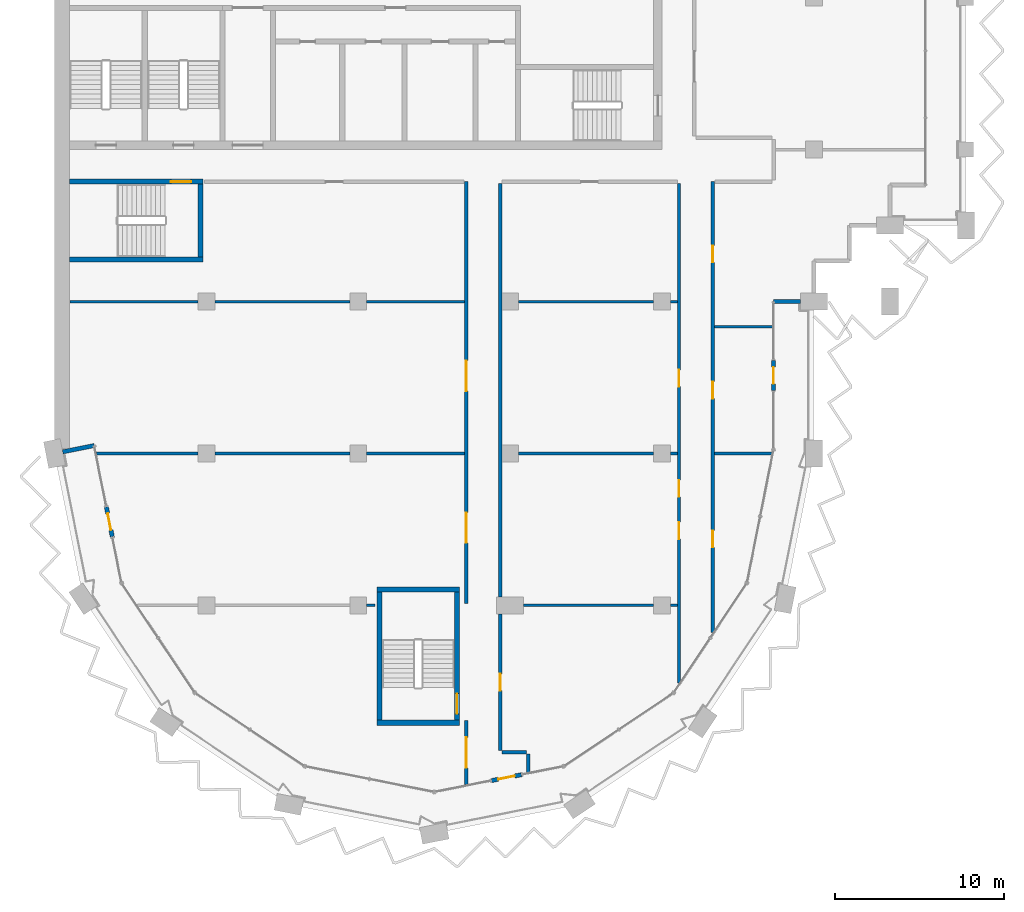
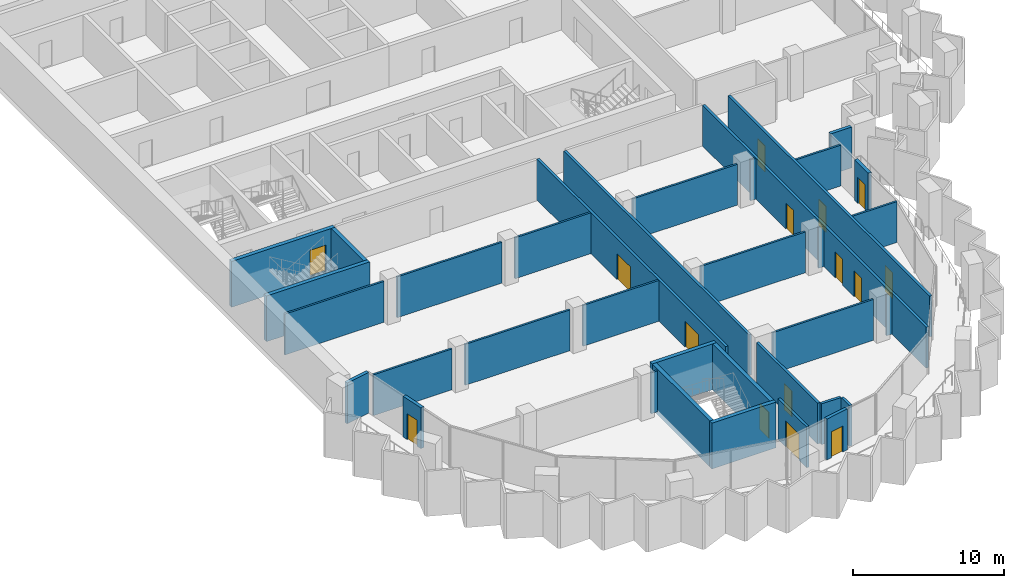
# One storey, part 6 of 15: 35 walls, 15 doors, 15 openings.
"""IFC4 building model written with IfcOpenShell, lengths in metres."""

from ifc_helpers import new_model, si_unit, direction, frame, frame_2d, origin, place, context, subcontext, project, spatial, rectangle, extrude, material, layer, layer_set, type_object, element, fill, save


model = new_model("IFC4")

# Units and contexts
model_context = context("Model", 3, precision=1e-05, world=origin(), true_north=direction((0.0, 1.0)))
body_context = subcontext(model_context, "Body", "Model", "MODEL_VIEW")
ifc_project = project(units=[si_unit("LENGTHUNIT", "METRE"), si_unit("AREAUNIT", "SQUARE_METRE"), si_unit("VOLUMEUNIT", "CUBIC_METRE"), si_unit("PLANEANGLEUNIT", "RADIAN"), si_unit("MASSUNIT", "GRAM", prefix="KILO")], contexts=[model_context])

# Site, building, storey
site_placement = place(None, origin())
site = spatial("IfcSite", under=ifc_project, at=site_placement, CompositionType="ELEMENT")
building_placement = place(site_placement, origin())
building = spatial("IfcBuilding", under=site, at=building_placement, Name="Hunhe Ridgeline Campus", CompositionType="ELEMENT")
storey_placement = place(building_placement, frame((0.0, 0.0, 231.800048828125)))
storey = spatial("IfcBuildingStorey", under=building, at=storey_placement, Name="L59", CompositionType="ELEMENT", Elevation=231.800048828125)

# Walls
ifc_material_1 = material(Name="Concrete C30", Category="concrete")
ifc_layer_1 = layer(ifc_material_1, 0.25)
ifc_layer_set_1 = layer_set([ifc_layer_1], Name="Corner return wall 250 Concrete C30")
wall_type_1 = type_object("IfcWallType", Name="Corner return wall 250 Concrete C30", PredefinedType="SOLIDWALL", material=ifc_layer_set_1)
wall_1_placement = place(storey_placement, frame((0.490234375, 45.098388671875, 0.0), z_axis=(0.0, 0.0, 1.0), x_axis=(0.980836699013, 0.194831644939, 0.0)))
element("IfcWall", 1, at=wall_1_placement, inside=storey, type_object=wall_type_1, Name="Corner return wall 1", PredefinedType="SOLIDWALL", context=body_context, shape_type="SweptSolid", body=[
    extrude(rectangle(XDim=1.90087890625, YDim=0.25, at=frame_2d((0.950439453125, 0.0))), origin(), (0.0, 0.0, 1.0), 3.300048828125),
])
wall_2_placement = place(storey_placement, frame((42.59912109375, 54.00048828125, 0.0), z_axis=(0.0, 0.0, 1.0), x_axis=(0.999999988371, 0.000152508767, 0.0)))
element("IfcWall", 2, at=wall_2_placement, inside=storey, type_object=wall_type_1, Name="Corner return wall 2", PredefinedType="SOLIDWALL", context=body_context, shape_type="SweptSolid", body=[
    extrude(rectangle(XDim=1.600830078125, YDim=0.25, at=frame_2d((0.80029296875, 0.0))), origin(), (0.0, 0.0, 1.0), 3.300048828125),
])
ifc_material_2 = material(Name="Gypsum board partition")
ifc_layer_2 = layer(ifc_material_2, 0.199951171875)
ifc_layer_set_2 = layer_set([ifc_layer_2], Name="Corridor partition 200 gypsum board on steel studs")
wall_type_2 = type_object("IfcWallType", Name="Corridor partition 200 gypsum board on steel studs", PredefinedType="PARTITIONING", material=ifc_layer_set_2)
wall_3_placement = place(storey_placement, frame((26.5, 27.299072265625, 0.0), z_axis=(0.0, 0.0, 1.0), x_axis=(1.0, 0.0, 0.0)))
element("IfcWall", 3, at=wall_3_placement, inside=storey, type_object=wall_type_2, Name="F-L59-wall-001", PredefinedType="PARTITIONING", context=body_context, shape_type="SweptSolid", body=[
    extrude(rectangle(XDim=1.47802734375, YDim=0.199951171875, at=frame_2d((0.739013671875, 0.0))), origin(), (0.0, 0.0, 1.0), 3.300048828125),
])

# Wall, opening, door
wall_4_placement = place(storey_placement, frame((24.39990234375, 25.381103515625, 0.0), z_axis=(0.0, 0.0, 1.0), x_axis=(0.0, 1.0, 0.0)))
wall_4 = element("IfcWall", 4, at=wall_4_placement, inside=storey, type_object=wall_type_2, Name="F-L59-wall-032", PredefinedType="PARTITIONING", context=body_context, shape_type="SweptSolid", body=[
    extrude(rectangle(XDim=3.7939453125, YDim=0.199951171875, at=frame_2d((1.89697265625, 0.0))), origin(), (0.0, 0.0, 1.0), 3.300048828125),
])
opening_1_placement = place(wall_4_placement, frame((0.9970703125, 0.0, 0.0)))
opening_1 = element("IfcOpeningElement", 5, at=opening_1_placement, cuts=wall_4, Name="Opening RD2-001", PredefinedType="OPENING", context=body_context, shape_type="SweptSolid", body=[
    extrude(rectangle(XDim=1.800048828125, YDim=2.10009765625, at=frame_2d((0.89990234375, 1.050048828125))), frame((0.0, 0.10009765625, 0.0), z_axis=(0.0, -1.0, 0.0), x_axis=(1.0, 0.0, 0.0)), (0.0, 0.0, 1.0), 0.199951171875),
])
ifc_material_3 = material(Name="Timber door leaf", Category="wood")
door_type_1 = type_object("IfcDoorType", Name="Double fire door 1800x2100 timber FD60", OperationType="DOUBLE_DOOR_SINGLE_SWING", PredefinedType="DOOR", material=ifc_material_3)
door_1_placement = place(opening_1_placement, origin())
door_1 = element("IfcDoor", 6, at=door_1_placement, inside=storey, type_object=door_type_1, Name="F-L59-door-001", OperationType="DOUBLE_DOOR_SINGLE_SWING", OverallHeight=2.10009765625, OverallWidth=1.800048828125, PredefinedType="DOOR", context=body_context, shape_type="SweptSolid", body=[
    extrude(rectangle(XDim=1.800048828125, YDim=2.10009765625, at=frame_2d((0.89990234375, 1.050048828125))), frame((0.0, 0.02490234375, 0.0), z_axis=(0.0, -1.0, 0.0), x_axis=(1.0, 0.0, 0.0)), (0.0, 0.0, 1.0), 0.050048828125),
])
fill(opening_1, door_1)

# Wall, openings, doors
wall_5_placement = place(storey_placement, frame((24.39990234375, 36.10009765625, 0.0), z_axis=(0.0, 0.0, 1.0), x_axis=(0.0, 1.0, 0.0)))
wall_5 = element("IfcWall", 7, at=wall_5_placement, inside=storey, type_object=wall_type_2, Name="F-L59-wall-033", PredefinedType="PARTITIONING", context=body_context, shape_type="SweptSolid", body=[
    extrude(rectangle(XDim=25.0, YDim=0.199951171875, at=frame_2d((12.5, 0.0))), origin(), (0.0, 0.0, 1.0), 3.300048828125),
])
opening_2_placement = place(wall_5_placement, frame((3.60009765625, 0.0, 0.0)))
opening_2 = element("IfcOpeningElement", 8, at=opening_2_placement, cuts=wall_5, Name="Opening RD2-005", PredefinedType="OPENING", context=body_context, shape_type="SweptSolid", body=[
    extrude(rectangle(XDim=1.800048828125, YDim=2.10009765625, at=frame_2d((0.89990234375, 1.050048828125))), frame((0.0, 0.10009765625, 0.0), z_axis=(0.0, -1.0, 0.0), x_axis=(1.0, 0.0, 0.0)), (0.0, 0.0, 1.0), 0.199951171875),
])
opening_3_placement = place(wall_5_placement, frame((12.60009765625, 0.0, 0.0)))
opening_3 = element("IfcOpeningElement", 9, at=opening_3_placement, cuts=wall_5, Name="Opening RD2-009", PredefinedType="OPENING", context=body_context, shape_type="SweptSolid", body=[
    extrude(rectangle(XDim=1.800048828125, YDim=2.10009765625, at=frame_2d((0.89990234375, 1.050048828125))), frame((0.0, 0.10009765625, 0.0), z_axis=(0.0, -1.0, 0.0), x_axis=(1.0, 0.0, 0.0)), (0.0, 0.0, 1.0), 0.199951171875),
])
door_2_placement = place(opening_2_placement, origin())
door_2 = element("IfcDoor", 10, at=door_2_placement, inside=storey, type_object=door_type_1, Name="F-L59-door-005", OperationType="DOUBLE_DOOR_SINGLE_SWING", OverallHeight=2.10009765625, OverallWidth=1.800048828125, PredefinedType="DOOR", context=body_context, shape_type="SweptSolid", body=[
    extrude(rectangle(XDim=1.800048828125, YDim=2.10009765625, at=frame_2d((0.89990234375, 1.050048828125))), frame((0.0, 0.02490234375, 0.0), z_axis=(0.0, -1.0, 0.0), x_axis=(1.0, 0.0, 0.0)), (0.0, 0.0, 1.0), 0.050048828125),
])
fill(opening_2, door_2)
door_3_placement = place(opening_3_placement, origin())
door_3 = element("IfcDoor", 11, at=door_3_placement, inside=storey, type_object=door_type_1, Name="F-L59-door-009", OperationType="DOUBLE_DOOR_SINGLE_SWING", OverallHeight=2.10009765625, OverallWidth=1.800048828125, PredefinedType="DOOR", context=body_context, shape_type="SweptSolid", body=[
    extrude(rectangle(XDim=1.800048828125, YDim=2.10009765625, at=frame_2d((0.89990234375, 1.050048828125))), frame((0.0, 0.02490234375, 0.0), z_axis=(0.0, -1.0, 0.0), x_axis=(1.0, 0.0, 0.0)), (0.0, 0.0, 1.0), 0.050048828125),
])
fill(opening_3, door_3)

# Wall, opening, door
wall_6_placement = place(storey_placement, frame((26.39990234375, 35.5, 0.0), z_axis=(0.0, 0.0, 1.0), x_axis=(0.0, -1.0, 0.0)))
wall_6 = element("IfcWall", 12, at=wall_6_placement, inside=storey, type_object=wall_type_2, Name="F-L59-wall-034", PredefinedType="PARTITIONING", context=body_context, shape_type="SweptSolid", body=[
    extrude(rectangle(XDim=8.10107421875, YDim=0.199951171875, at=frame_2d((4.050537109375, 0.0))), origin(), (0.0, 0.0, 1.0), 3.300048828125),
])
opening_4_placement = place(wall_6_placement, frame((3.550537109375, 0.0, 0.0)))
opening_4 = element("IfcOpeningElement", 13, at=opening_4_placement, cuts=wall_6, Name="Opening RD1-002", PredefinedType="OPENING", context=body_context, shape_type="SweptSolid", body=[
    extrude(rectangle(XDim=1.0, YDim=2.10009765625, at=frame_2d((0.5, 1.050048828125))), frame((0.0, 0.10009765625, 0.0), z_axis=(0.0, -1.0, 0.0), x_axis=(1.0, 0.0, 0.0)), (0.0, 0.0, 1.0), 0.199951171875),
])
door_type_2 = type_object("IfcDoorType", Name="Single fire door 1000x2100 timber FD60", OperationType="NOTDEFINED", PredefinedType="DOOR", material=ifc_material_3)
door_4_placement = place(opening_4_placement, origin())
door_4 = element("IfcDoor", 14, at=door_4_placement, inside=storey, type_object=door_type_2, Name="F-L59-door-002", OperationType="SINGLE_SWING_LEFT", OverallHeight=2.10009765625, OverallWidth=1.0, PredefinedType="DOOR", context=body_context, shape_type="SweptSolid", body=[
    extrude(rectangle(XDim=1.0, YDim=2.10009765625, at=frame_2d((0.5, 1.050048828125))), frame((0.0, 0.02490234375, 0.0), z_axis=(0.0, -1.0, 0.0), x_axis=(1.0, 0.0, 0.0)), (0.0, 0.0, 1.0), 0.050048828125),
])
fill(opening_4, door_4)

# Walls
wall_7_placement = place(storey_placement, frame((26.39990234375, 61.0, 0.0), z_axis=(0.0, 0.0, 1.0), x_axis=(0.0, -1.0, 0.0)))
element("IfcWall", 15, at=wall_7_placement, inside=storey, type_object=wall_type_2, Name="F-L59-wall-035", PredefinedType="PARTITIONING", context=body_context, shape_type="SweptSolid", body=[
    extrude(rectangle(XDim=24.5, YDim=0.199951171875, at=frame_2d((12.25, 0.0))), origin(), (0.0, 0.0, 1.0), 3.300048828125),
])
wall_8_placement = place(storey_placement, frame((28.077880859375, 27.198974609375, 0.0), z_axis=(0.0, 0.0, 1.0), x_axis=(0.0, -1.0, 0.0)))
element("IfcWall", 16, at=wall_8_placement, inside=storey, type_object=wall_type_2, Name="F-L59-wall-036", PredefinedType="PARTITIONING", context=body_context, shape_type="SweptSolid", body=[
    extrude(rectangle(XDim=1.08642578125, YDim=0.199951171875, at=frame_2d((0.543212890625, 0.0))), origin(), (0.0, 0.0, 1.0), 3.300048828125),
])

# Wall, openings, doors
wall_9_placement = place(storey_placement, frame((37.0, 31.39892578125, 0.0), z_axis=(0.0, 0.0, 1.0), x_axis=(0.0, 1.0, 0.0)))
wall_9 = element("IfcWall", 17, at=wall_9_placement, inside=storey, type_object=wall_type_2, Name="F-L59-wall-037", PredefinedType="PARTITIONING", context=body_context, shape_type="SweptSolid", body=[
    extrude(rectangle(XDim=29.60107421875, YDim=0.199951171875, at=frame_2d((14.800537109375, 0.0))), origin(), (0.0, 0.0, 1.0), 3.300048828125),
])
opening_5_placement = place(wall_9_placement, frame((8.53076171875, 0.0, 0.0)))
opening_5 = element("IfcOpeningElement", 18, at=opening_5_placement, cuts=wall_9, Name="Opening RD1-004", PredefinedType="OPENING", context=body_context, shape_type="SweptSolid", body=[
    extrude(rectangle(XDim=1.0, YDim=2.10009765625, at=frame_2d((0.5, 1.050048828125))), frame((0.0, 0.10009765625, 0.0), z_axis=(0.0, -1.0, 0.0), x_axis=(1.0, 0.0, 0.0)), (0.0, 0.0, 1.0), 0.199951171875),
])
opening_6_placement = place(wall_9_placement, frame((11.03076171875, 0.0, 0.0)))
opening_6 = element("IfcOpeningElement", 19, at=opening_6_placement, cuts=wall_9, Name="Opening RD1-006", PredefinedType="OPENING", context=body_context, shape_type="SweptSolid", body=[
    extrude(rectangle(XDim=1.0, YDim=2.10009765625, at=frame_2d((0.5, 1.050048828125))), frame((0.0, 0.10009765625, 0.0), z_axis=(0.0, -1.0, 0.0), x_axis=(1.0, 0.0, 0.0)), (0.0, 0.0, 1.0), 0.199951171875),
])
opening_7_placement = place(wall_9_placement, frame((17.561767578125, 0.0, 0.0)))
opening_7 = element("IfcOpeningElement", 20, at=opening_7_placement, cuts=wall_9, Name="Opening RD1-008", PredefinedType="OPENING", context=body_context, shape_type="SweptSolid", body=[
    extrude(rectangle(XDim=1.0, YDim=2.10009765625, at=frame_2d((0.5, 1.050048828125))), frame((0.0, 0.10009765625, 0.0), z_axis=(0.0, -1.0, 0.0), x_axis=(1.0, 0.0, 0.0)), (0.0, 0.0, 1.0), 0.199951171875),
])
door_5_placement = place(opening_5_placement, frame((1.0, 0.0, 0.0), z_axis=(0.0, 0.0, 1.0), x_axis=(-1.0, 0.0, 0.0)))
door_5 = element("IfcDoor", 21, at=door_5_placement, inside=storey, type_object=door_type_2, Name="F-L59-door-004", OperationType="SINGLE_SWING_LEFT", OverallHeight=2.10009765625, OverallWidth=1.0, PredefinedType="DOOR", context=body_context, shape_type="SweptSolid", body=[
    extrude(rectangle(XDim=1.0, YDim=2.10009765625, at=frame_2d((0.5, 1.050048828125))), frame((0.0, 0.02490234375, 0.0), z_axis=(0.0, -1.0, 0.0), x_axis=(1.0, 0.0, 0.0)), (0.0, 0.0, 1.0), 0.050048828125),
])
fill(opening_5, door_5)
door_6_placement = place(opening_6_placement, frame((1.0, 0.0, 0.0), z_axis=(0.0, 0.0, 1.0), x_axis=(-1.0, 0.0, 0.0)))
door_6 = element("IfcDoor", 22, at=door_6_placement, inside=storey, type_object=door_type_2, Name="F-L59-door-006", OperationType="SINGLE_SWING_LEFT", OverallHeight=2.10009765625, OverallWidth=1.0, PredefinedType="DOOR", context=body_context, shape_type="SweptSolid", body=[
    extrude(rectangle(XDim=1.0, YDim=2.10009765625, at=frame_2d((0.5, 1.050048828125))), frame((0.0, 0.02490234375, 0.0), z_axis=(0.0, -1.0, 0.0), x_axis=(1.0, 0.0, 0.0)), (0.0, 0.0, 1.0), 0.050048828125),
])
fill(opening_6, door_6)
door_7_placement = place(opening_7_placement, origin())
door_7 = element("IfcDoor", 23, at=door_7_placement, inside=storey, type_object=door_type_2, Name="F-L59-door-008", OperationType="SINGLE_SWING_RIGHT", OverallHeight=2.10009765625, OverallWidth=1.0, PredefinedType="DOOR", context=body_context, shape_type="SweptSolid", body=[
    extrude(rectangle(XDim=1.0, YDim=2.10009765625, at=frame_2d((0.5, 1.050048828125))), frame((0.0, 0.02490234375, 0.0), z_axis=(0.0, -1.0, 0.0), x_axis=(1.0, 0.0, 0.0)), (0.0, 0.0, 1.0), 0.050048828125),
])
fill(opening_7, door_7)

wall_10_placement = place(storey_placement, frame((39.0, 61.10009765625, 0.0), z_axis=(0.0, 0.0, 1.0), x_axis=(0.0, -1.0, 0.0)))
wall_10 = element("IfcWall", 24, at=wall_10_placement, inside=storey, type_object=wall_type_2, Name="F-L59-wall-040", PredefinedType="PARTITIONING", context=body_context, shape_type="SweptSolid", body=[
    extrude(rectangle(XDim=26.7080078125, YDim=0.199951171875, at=frame_2d((13.35400390625, 0.0))), origin(), (0.0, 0.0, 1.0), 3.300048828125),
])
opening_8_placement = place(wall_10_placement, frame((20.664794921875, 0.0, 0.0)))
opening_8 = element("IfcOpeningElement", 25, at=opening_8_placement, cuts=wall_10, Name="Opening RD1-003", PredefinedType="OPENING", context=body_context, shape_type="SweptSolid", body=[
    extrude(rectangle(XDim=1.0, YDim=2.10009765625, at=frame_2d((0.5, 1.050048828125))), frame((0.0, 0.10009765625, 0.0), z_axis=(0.0, -1.0, 0.0), x_axis=(1.0, 0.0, 0.0)), (0.0, 0.0, 1.0), 0.199951171875),
])
opening_9_placement = place(wall_10_placement, frame((11.84619140625, 0.0, 0.0)))
opening_9 = element("IfcOpeningElement", 26, at=opening_9_placement, cuts=wall_10, Name="Opening RD1-007", PredefinedType="OPENING", context=body_context, shape_type="SweptSolid", body=[
    extrude(rectangle(XDim=1.0, YDim=2.10009765625, at=frame_2d((0.5, 1.050048828125))), frame((0.0, 0.10009765625, 0.0), z_axis=(0.0, -1.0, 0.0), x_axis=(1.0, 0.0, 0.0)), (0.0, 0.0, 1.0), 0.199951171875),
])
opening_10_placement = place(wall_10_placement, frame((3.783203125, 0.0, 0.0)))
opening_10 = element("IfcOpeningElement", 27, at=opening_10_placement, cuts=wall_10, Name="Opening RD1-010", PredefinedType="OPENING", context=body_context, shape_type="SweptSolid", body=[
    extrude(rectangle(XDim=1.0, YDim=2.10009765625, at=frame_2d((0.5, 1.050048828125))), frame((0.0, 0.10009765625, 0.0), z_axis=(0.0, -1.0, 0.0), x_axis=(1.0, 0.0, 0.0)), (0.0, 0.0, 1.0), 0.199951171875),
])
door_8_placement = place(opening_8_placement, origin())
door_8 = element("IfcDoor", 28, at=door_8_placement, inside=storey, type_object=door_type_2, Name="F-L59-door-003", OperationType="SINGLE_SWING_LEFT", OverallHeight=2.10009765625, OverallWidth=1.0, PredefinedType="DOOR", context=body_context, shape_type="SweptSolid", body=[
    extrude(rectangle(XDim=1.0, YDim=2.10009765625, at=frame_2d((0.5, 1.050048828125))), frame((0.0, 0.02490234375, 0.0), z_axis=(0.0, -1.0, 0.0), x_axis=(1.0, 0.0, 0.0)), (0.0, 0.0, 1.0), 0.050048828125),
])
fill(opening_8, door_8)
door_9_placement = place(opening_9_placement, origin())
door_9 = element("IfcDoor", 29, at=door_9_placement, inside=storey, type_object=door_type_2, Name="F-L59-door-007", OperationType="SINGLE_SWING_LEFT", OverallHeight=2.10009765625, OverallWidth=1.0, PredefinedType="DOOR", context=body_context, shape_type="SweptSolid", body=[
    extrude(rectangle(XDim=1.0, YDim=2.10009765625, at=frame_2d((0.5, 1.050048828125))), frame((0.0, 0.02490234375, 0.0), z_axis=(0.0, -1.0, 0.0), x_axis=(1.0, 0.0, 0.0)), (0.0, 0.0, 1.0), 0.050048828125),
])
fill(opening_9, door_9)
door_10_placement = place(opening_10_placement, origin())
door_10 = element("IfcDoor", 30, at=door_10_placement, inside=storey, type_object=door_type_2, Name="F-L59-door-010", OperationType="SINGLE_SWING_RIGHT", OverallHeight=2.10009765625, OverallWidth=1.0, PredefinedType="DOOR", context=body_context, shape_type="SweptSolid", body=[
    extrude(rectangle(XDim=1.0, YDim=2.10009765625, at=frame_2d((0.5, 1.050048828125))), frame((0.0, 0.02490234375, 0.0), z_axis=(0.0, -1.0, 0.0), x_axis=(1.0, 0.0, 0.0)), (0.0, 0.0, 1.0), 0.050048828125),
])
fill(opening_10, door_10)

# Wall, opening, door
ifc_layer_3 = layer(ifc_material_1, 0.25)
ifc_layer_set_3 = layer_set([ifc_layer_3], Name="Loggia door pier wall 250 Concrete C30")
wall_type_3 = type_object("IfcWallType", Name="Loggia door pier wall 250 Concrete C30", PredefinedType="SOLIDWALL", material=ifc_layer_set_3)
wall_11_placement = place(storey_placement, frame((3.076904296875, 41.8388671875, 0.0), z_axis=(0.0, 0.0, 1.0), x_axis=(0.195046569833, -0.980793982239, 0.0)))
wall_11 = element("IfcWall", 31, at=wall_11_placement, inside=storey, type_object=wall_type_3, Name="Loggia door pier 1", PredefinedType="SOLIDWALL", context=body_context, shape_type="SweptSolid", body=[
    extrude(rectangle(XDim=1.800048828125, YDim=0.25, at=frame_2d((0.89990234375, 0.0))), origin(), (0.0, 0.0, 1.0), 3.300048828125),
])
opening_11_placement = place(wall_11_placement, frame((0.39990234375, 0.0, 0.0)))
opening_11 = element("IfcOpeningElement", 32, at=opening_11_placement, cuts=wall_11, Name="Opening BD501", PredefinedType="OPENING", context=body_context, shape_type="SweptSolid", body=[
    extrude(rectangle(XDim=1.0, YDim=2.10009765625, at=frame_2d((0.5, 1.050048828125))), frame((0.0, 0.125, 0.0), z_axis=(0.0, -1.0, 0.0), x_axis=(1.0, 0.0, 0.0)), (0.0, 0.0, 1.0), 0.25),
])
ifc_material_4 = material(Name="Aluminium 6063", Category="aluminium")
door_type_3 = type_object("IfcDoorType", Name="Loggia glazed door 1000x2100", OperationType="NOTDEFINED", PredefinedType="DOOR", material=ifc_material_4)
door_11_placement = place(opening_11_placement, frame((1.0, 0.0, 0.0), z_axis=(0.0, 0.0, 1.0), x_axis=(-1.0, 0.0, 0.0)))
door_11 = element("IfcDoor", 33, at=door_11_placement, inside=storey, type_object=door_type_3, Name="Loggia door BD501", OperationType="SINGLE_SWING_RIGHT", OverallHeight=2.10009765625, OverallWidth=1.0, PredefinedType="DOOR", context=body_context, shape_type="SweptSolid", body=[
    extrude(rectangle(XDim=1.0, YDim=2.10009765625, at=frame_2d((0.5, 1.050048828125))), frame((0.0, 0.02490234375, 0.0), z_axis=(0.0, -1.0, 0.0), x_axis=(1.0, 0.0, 0.0)), (0.0, 0.0, 1.0), 0.050048828125),
])
fill(opening_11, door_11)

wall_12_placement = place(storey_placement, frame((25.8955078125, 25.62353515625, 0.0), z_axis=(0.0, 0.0, 1.0), x_axis=(0.980793982239, 0.195046569833, 0.0)))
wall_12 = element("IfcWall", 34, at=wall_12_placement, inside=storey, type_object=wall_type_3, Name="Loggia door pier 2", PredefinedType="SOLIDWALL", context=body_context, shape_type="SweptSolid", body=[
    extrude(rectangle(XDim=1.800048828125, YDim=0.25, at=frame_2d((0.89990234375, 0.0))), origin(), (0.0, 0.0, 1.0), 3.300048828125),
])
opening_12_placement = place(wall_12_placement, frame((0.39990234375, 0.0, 0.0)))
opening_12 = element("IfcOpeningElement", 35, at=opening_12_placement, cuts=wall_12, Name="Opening BD503", PredefinedType="OPENING", context=body_context, shape_type="SweptSolid", body=[
    extrude(rectangle(XDim=1.0, YDim=2.10009765625, at=frame_2d((0.5, 1.050048828125))), frame((0.0, 0.125, 0.0), z_axis=(0.0, -1.0, 0.0), x_axis=(1.0, 0.0, 0.0)), (0.0, 0.0, 1.0), 0.25),
])
door_12_placement = place(opening_12_placement, frame((1.0, 0.0, 0.0), z_axis=(0.0, 0.0, 1.0), x_axis=(-1.0, 0.0, 0.0)))
door_12 = element("IfcDoor", 36, at=door_12_placement, inside=storey, type_object=door_type_3, Name="Loggia door BD503", OperationType="SINGLE_SWING_RIGHT", OverallHeight=2.10009765625, OverallWidth=1.0, PredefinedType="DOOR", context=body_context, shape_type="SweptSolid", body=[
    extrude(rectangle(XDim=1.0, YDim=2.10009765625, at=frame_2d((0.5, 1.050048828125))), frame((0.0, 0.02490234375, 0.0), z_axis=(0.0, -1.0, 0.0), x_axis=(1.0, 0.0, 0.0)), (0.0, 0.0, 1.0), 0.050048828125),
])
fill(opening_12, door_12)

wall_13_placement = place(storey_placement, frame((42.59912109375, 48.718505859375, 0.0), z_axis=(0.0, 0.0, 1.0), x_axis=(0.0, 1.0, 0.0)))
wall_13 = element("IfcWall", 37, at=wall_13_placement, inside=storey, type_object=wall_type_3, Name="Loggia door pier 3", PredefinedType="SOLIDWALL", context=body_context, shape_type="SweptSolid", body=[
    extrude(rectangle(XDim=1.800048828125, YDim=0.25, at=frame_2d((0.89990234375, 0.0))), origin(), (0.0, 0.0, 1.0), 3.300048828125),
])
opening_13_placement = place(wall_13_placement, frame((0.39990234375, 0.0, 0.0)))
opening_13 = element("IfcOpeningElement", 38, at=opening_13_placement, cuts=wall_13, Name="Opening BD505", PredefinedType="OPENING", context=body_context, shape_type="SweptSolid", body=[
    extrude(rectangle(XDim=1.0, YDim=2.10009765625, at=frame_2d((0.5, 1.050048828125))), frame((0.0, 0.125, 0.0), z_axis=(0.0, -1.0, 0.0), x_axis=(1.0, 0.0, 0.0)), (0.0, 0.0, 1.0), 0.25),
])
door_13_placement = place(opening_13_placement, frame((1.0, 0.0, 0.0), z_axis=(0.0, 0.0, 1.0), x_axis=(-1.0, 0.0, 0.0)))
door_13 = element("IfcDoor", 39, at=door_13_placement, inside=storey, type_object=door_type_3, Name="Loggia door BD505", OperationType="SINGLE_SWING_RIGHT", OverallHeight=2.10009765625, OverallWidth=1.0, PredefinedType="DOOR", context=body_context, shape_type="SweptSolid", body=[
    extrude(rectangle(XDim=1.0, YDim=2.10009765625, at=frame_2d((0.5, 1.050048828125))), frame((0.0, 0.02490234375, 0.0), z_axis=(0.0, -1.0, 0.0), x_axis=(1.0, 0.0, 0.0)), (0.0, 0.0, 1.0), 0.050048828125),
])
fill(opening_13, door_13)

# Walls
ifc_layer_4 = layer(ifc_material_2, 0.14990234375)
ifc_layer_set_4 = layer_set([ifc_layer_4], Name="Room partition 150 gypsum board on steel studs")
wall_type_4 = type_object("IfcWallType", Name="Room partition 150 gypsum board on steel studs", PredefinedType="PARTITIONING", material=ifc_layer_set_4)
wall_14_placement = place(storey_placement, frame((18.5, 36.0, 0.0), z_axis=(0.0, 0.0, 1.0), x_axis=(1.0, 0.0, 0.0)))
element("IfcWall", 40, at=wall_14_placement, inside=storey, type_object=wall_type_4, Name="F-L59-wall-004", PredefinedType="PARTITIONING", context=body_context, shape_type="SweptSolid", body=[
    extrude(rectangle(XDim=0.49609375, YDim=0.14990234375, at=frame_2d((0.248046875, 0.0))), origin(), (0.0, 0.0, 1.0), 3.300048828125),
])
wall_15_placement = place(storey_placement, frame((27.800048828125, 36.0, 0.0), z_axis=(0.0, 0.0, 1.0), x_axis=(1.0, 0.0, 0.0)))
element("IfcWall", 41, at=wall_15_placement, inside=storey, type_object=wall_type_4, Name="F-L59-wall-005", PredefinedType="PARTITIONING", context=body_context, shape_type="SweptSolid", body=[
    extrude(rectangle(XDim=7.699951171875, YDim=0.14990234375, at=frame_2d((3.85009765625, 0.0))), origin(), (0.0, 0.0, 1.0), 3.300048828125),
])
wall_16_placement = place(storey_placement, frame((36.5, 36.0, 0.0), z_axis=(0.0, 0.0, 1.0), x_axis=(1.0, 0.0, 0.0)))
element("IfcWall", 42, at=wall_16_placement, inside=storey, type_object=wall_type_4, Name="F-L59-wall-006", PredefinedType="PARTITIONING", context=body_context, shape_type="SweptSolid", body=[
    extrude(rectangle(XDim=0.39990234375, YDim=0.14990234375, at=frame_2d((0.199951171875, 0.0))), origin(), (0.0, 0.0, 1.0), 3.300048828125),
])
wall_17_placement = place(storey_placement, frame((2.503173828125, 45.0, 0.0), z_axis=(0.0, 0.0, 1.0), x_axis=(1.0, 0.0, 0.0)))
element("IfcWall", 43, at=wall_17_placement, inside=storey, type_object=wall_type_4, Name="F-L59-wall-007", PredefinedType="PARTITIONING", context=body_context, shape_type="SweptSolid", body=[
    extrude(rectangle(XDim=5.996826171875, YDim=0.14990234375, at=frame_2d((2.99853515625, 0.0))), origin(), (0.0, 0.0, 1.0), 3.300048828125),
])
wall_18_placement = place(storey_placement, frame((9.5, 45.0, 0.0), z_axis=(0.0, 0.0, 1.0), x_axis=(1.0, 0.0, 0.0)))
element("IfcWall", 44, at=wall_18_placement, inside=storey, type_object=wall_type_4, Name="F-L59-wall-008", PredefinedType="PARTITIONING", context=body_context, shape_type="SweptSolid", body=[
    extrude(rectangle(XDim=8.0, YDim=0.14990234375, at=frame_2d((4.0, 0.0))), origin(), (0.0, 0.0, 1.0), 3.300048828125),
])
wall_19_placement = place(storey_placement, frame((18.5, 45.0, 0.0), z_axis=(0.0, 0.0, 1.0), x_axis=(1.0, 0.0, 0.0)))
element("IfcWall", 45, at=wall_19_placement, inside=storey, type_object=wall_type_4, Name="F-L59-wall-009", PredefinedType="PARTITIONING", context=body_context, shape_type="SweptSolid", body=[
    extrude(rectangle(XDim=5.800048828125, YDim=0.14990234375, at=frame_2d((2.89990234375, 0.0))), origin(), (0.0, 0.0, 1.0), 3.300048828125),
])
wall_20_placement = place(storey_placement, frame((27.5, 45.0, 0.0), z_axis=(0.0, 0.0, 1.0), x_axis=(1.0, 0.0, 0.0)))
element("IfcWall", 46, at=wall_20_placement, inside=storey, type_object=wall_type_4, Name="F-L59-wall-010", PredefinedType="PARTITIONING", context=body_context, shape_type="SweptSolid", body=[
    extrude(rectangle(XDim=8.0, YDim=0.14990234375, at=frame_2d((4.0, 0.0))), origin(), (0.0, 0.0, 1.0), 3.300048828125),
])
wall_21_placement = place(storey_placement, frame((36.5, 45.0, 0.0), z_axis=(0.0, 0.0, 1.0), x_axis=(1.0, 0.0, 0.0)))
element("IfcWall", 47, at=wall_21_placement, inside=storey, type_object=wall_type_4, Name="F-L59-wall-011", PredefinedType="PARTITIONING", context=body_context, shape_type="SweptSolid", body=[
    extrude(rectangle(XDim=0.39990234375, YDim=0.14990234375, at=frame_2d((0.199951171875, 0.0))), origin(), (0.0, 0.0, 1.0), 3.300048828125),
])
wall_22_placement = place(storey_placement, frame((39.10009765625, 45.0, 0.0), z_axis=(0.0, 0.0, 1.0), x_axis=(1.0, 0.0, 0.0)))
element("IfcWall", 48, at=wall_22_placement, inside=storey, type_object=wall_type_4, Name="F-L59-wall-012", PredefinedType="PARTITIONING", context=body_context, shape_type="SweptSolid", body=[
    extrude(rectangle(XDim=3.396728515625, YDim=0.14990234375, at=frame_2d((1.6982421875, 0.0))), origin(), (0.0, 0.0, 1.0), 3.300048828125),
])
wall_23_placement = place(storey_placement, frame((39.10009765625, 52.5, 0.0), z_axis=(0.0, 0.0, 1.0), x_axis=(1.0, 0.0, 0.0)))
element("IfcWall", 49, at=wall_23_placement, inside=storey, type_object=wall_type_4, Name="F-L59-wall-013", PredefinedType="PARTITIONING", context=body_context, shape_type="SweptSolid", body=[
    extrude(rectangle(XDim=3.445068359375, YDim=0.14990234375, at=frame_2d((1.72265625, 0.0))), origin(), (0.0, 0.0, 1.0), 3.300048828125),
])
wall_24_placement = place(storey_placement, frame((0.919921875, 54.0, 0.0), z_axis=(0.0, 0.0, 1.0), x_axis=(1.0, 0.0, 0.0)))
element("IfcWall", 50, at=wall_24_placement, inside=storey, type_object=wall_type_4, Name="F-L59-wall-014", PredefinedType="PARTITIONING", context=body_context, shape_type="SweptSolid", body=[
    extrude(rectangle(XDim=7.580078125, YDim=0.14990234375, at=frame_2d((3.7900390625, 0.0))), origin(), (0.0, 0.0, 1.0), 3.300048828125),
])
wall_25_placement = place(storey_placement, frame((9.5, 54.0, 0.0), z_axis=(0.0, 0.0, 1.0), x_axis=(1.0, 0.0, 0.0)))
element("IfcWall", 51, at=wall_25_placement, inside=storey, type_object=wall_type_4, Name="F-L59-wall-015", PredefinedType="PARTITIONING", context=body_context, shape_type="SweptSolid", body=[
    extrude(rectangle(XDim=8.0, YDim=0.14990234375, at=frame_2d((4.0, 0.0))), origin(), (0.0, 0.0, 1.0), 3.300048828125),
])
wall_26_placement = place(storey_placement, frame((18.5, 54.0, 0.0), z_axis=(0.0, 0.0, 1.0), x_axis=(1.0, 0.0, 0.0)))
element("IfcWall", 52, at=wall_26_placement, inside=storey, type_object=wall_type_4, Name="F-L59-wall-016", PredefinedType="PARTITIONING", context=body_context, shape_type="SweptSolid", body=[
    extrude(rectangle(XDim=5.800048828125, YDim=0.14990234375, at=frame_2d((2.89990234375, 0.0))), origin(), (0.0, 0.0, 1.0), 3.300048828125),
])
wall_27_placement = place(storey_placement, frame((27.5, 54.0, 0.0), z_axis=(0.0, 0.0, 1.0), x_axis=(1.0, 0.0, 0.0)))
element("IfcWall", 53, at=wall_27_placement, inside=storey, type_object=wall_type_4, Name="F-L59-wall-017", PredefinedType="PARTITIONING", context=body_context, shape_type="SweptSolid", body=[
    extrude(rectangle(XDim=8.0, YDim=0.14990234375, at=frame_2d((4.0, 0.0))), origin(), (0.0, 0.0, 1.0), 3.300048828125),
])
wall_28_placement = place(storey_placement, frame((36.5, 54.0, 0.0), z_axis=(0.0, 0.0, 1.0), x_axis=(1.0, 0.0, 0.0)))
element("IfcWall", 54, at=wall_28_placement, inside=storey, type_object=wall_type_4, Name="F-L59-wall-018", PredefinedType="PARTITIONING", context=body_context, shape_type="SweptSolid", body=[
    extrude(rectangle(XDim=0.39990234375, YDim=0.14990234375, at=frame_2d((0.199951171875, 0.0))), origin(), (0.0, 0.0, 1.0), 3.300048828125),
])
ifc_material_5 = material(Name="Concrete C50", Category="concrete")
ifc_layer_5 = layer(ifc_material_5, 0.300048828125)
ifc_layer_set_5 = layer_set([ifc_layer_5], Name="Stair wall 300 reinforced concrete C50")
wall_type_5 = type_object("IfcWallType", Name="Stair wall 300 reinforced concrete C50", PredefinedType="SOLIDWALL", material=ifc_layer_set_5)
for number, where, z_axis, x_axis, name in (
    (55, (19.10009765625, 29.050048828125, -0.400146484375), (0.0, 0.0, 1.0), (1.0, 0.0, 0.0), "L59 core wall 1"),
    (56, (19.10009765625, 36.949951171875, -0.400146484375), (0.0, 0.0, 1.0), (1.0, 0.0, 0.0), "L59 core wall 2"),
):
    element("IfcWall", number, at=place(storey_placement, frame(where, z_axis=z_axis, x_axis=x_axis)), inside=storey, type_object=wall_type_5, Name=name, PredefinedType="SOLIDWALL", context=body_context, shape_type="SweptSolid", body=[
        extrude(rectangle(XDim=4.89990234375, YDim=0.300048828125, at=frame_2d((2.449951171875, 0.0))), origin(), (0.0, 0.0, 1.0), 3.7001953125),
    ])
wall_29_placement = place(storey_placement, frame((0.89990234375, 56.5, -0.400146484375), z_axis=(0.0, 0.0, 1.0), x_axis=(1.0, 0.0, 0.0)))
element("IfcWall", 57, at=wall_29_placement, inside=storey, type_object=wall_type_5, Name="L59 core wall 3", PredefinedType="SOLIDWALL", context=body_context, shape_type="SweptSolid", body=[
    extrude(rectangle(XDim=7.900146484375, YDim=0.300048828125, at=frame_2d((3.9501953125, 0.0))), origin(), (0.0, 0.0, 1.0), 3.7001953125),
])

# Wall, opening, door
wall_30_placement = place(storey_placement, frame((0.89990234375, 61.10009765625, -0.400146484375), z_axis=(0.0, 0.0, 1.0), x_axis=(1.0, 0.0, 0.0)))
wall_30 = element("IfcWall", 58, at=wall_30_placement, inside=storey, type_object=wall_type_5, Name="L59 core wall 4", PredefinedType="SOLIDWALL", context=body_context, shape_type="SweptSolid", body=[
    extrude(rectangle(XDim=7.900146484375, YDim=0.300048828125, at=frame_2d((3.9501953125, 0.0))), origin(), (0.0, 0.0, 1.0), 3.7001953125),
])
opening_14_placement = place(wall_30_placement, frame((6.0, 0.0, 0.39990234375)))
opening_14 = element("IfcOpeningElement", 59, at=opening_14_placement, cuts=wall_30, Name="Opening CD22", PredefinedType="OPENING", context=body_context, shape_type="SweptSolid", body=[
    extrude(rectangle(XDim=1.199951171875, YDim=2.10009765625, at=frame_2d((0.60009765625, 1.050048828125))), frame((0.0, 0.14990234375, 0.0), z_axis=(0.0, -1.0, 0.0), x_axis=(1.0, 0.0, 0.0)), (0.0, 0.0, 1.0), 0.300048828125),
])
ifc_material_6 = material(Name="Hollow metal fire door leaf")
door_type_4 = type_object("IfcDoorType", Name="Stair door 1200x2100 FD60", OperationType="SINGLE_SWING_LEFT", PredefinedType="DOOR", material=ifc_material_6)
door_14_placement = place(opening_14_placement, origin())
door_14 = element("IfcDoor", 60, at=door_14_placement, inside=storey, type_object=door_type_4, Name="L59 door W2", OperationType="SINGLE_SWING_LEFT", OverallHeight=2.10009765625, OverallWidth=1.199951171875, PredefinedType="DOOR", context=body_context, shape_type="SweptSolid", body=[
    extrude(rectangle(XDim=1.199951171875, YDim=2.10009765625, at=frame_2d((0.60009765625, 1.050048828125))), frame((0.0, 0.02490234375, 0.0), z_axis=(0.0, -1.0, 0.0), x_axis=(1.0, 0.0, 0.0)), (0.0, 0.0, 1.0), 0.050048828125),
])
fill(opening_14, door_14)

# Walls
wall_31_placement = place(storey_placement, frame((8.64990234375, 56.64990234375, -0.400146484375), z_axis=(0.0, 0.0, 1.0), x_axis=(0.0, 1.0, 0.0)))
element("IfcWall", 61, at=wall_31_placement, inside=storey, type_object=wall_type_5, Name="L59 core wall 30", PredefinedType="SOLIDWALL", context=body_context, shape_type="SweptSolid", body=[
    extrude(rectangle(XDim=4.300048828125, YDim=0.300048828125, at=frame_2d((2.14990234375, 0.0))), origin(), (0.0, 0.0, 1.0), 3.7001953125),
])
wall_32_placement = place(storey_placement, frame((19.25, 29.199951171875, -0.400146484375), z_axis=(0.0, 0.0, 1.0), x_axis=(0.0, 1.0, 0.0)))
element("IfcWall", 62, at=wall_32_placement, inside=storey, type_object=wall_type_5, Name="L59 core wall 40", PredefinedType="SOLIDWALL", context=body_context, shape_type="SweptSolid", body=[
    extrude(rectangle(XDim=7.60009765625, YDim=0.300048828125, at=frame_2d((3.800048828125, 0.0))), origin(), (0.0, 0.0, 1.0), 3.7001953125),
])

# Wall, opening, door
wall_33_placement = place(storey_placement, frame((23.85009765625, 29.199951171875, -0.400146484375), z_axis=(0.0, 0.0, 1.0), x_axis=(0.0, 1.0, 0.0)))
wall_33 = element("IfcWall", 63, at=wall_33_placement, inside=storey, type_object=wall_type_5, Name="L59 core wall 45", PredefinedType="SOLIDWALL", context=body_context, shape_type="SweptSolid", body=[
    extrude(rectangle(XDim=7.60009765625, YDim=0.300048828125, at=frame_2d((3.800048828125, 0.0))), origin(), (0.0, 0.0, 1.0), 3.7001953125),
])
opening_15_placement = place(wall_33_placement, frame((0.375, 0.0, 0.39990234375)))
opening_15 = element("IfcOpeningElement", 64, at=opening_15_placement, cuts=wall_33, Name="Opening CD23", PredefinedType="OPENING", context=body_context, shape_type="SweptSolid", body=[
    extrude(rectangle(XDim=1.199951171875, YDim=2.10009765625, at=frame_2d((0.60009765625, 1.050048828125))), frame((0.0, 0.14990234375, 0.0), z_axis=(0.0, -1.0, 0.0), x_axis=(1.0, 0.0, 0.0)), (0.0, 0.0, 1.0), 0.300048828125),
])
door_15_placement = place(opening_15_placement, frame((1.199951171875, 0.0, 0.0), z_axis=(0.0, 0.0, 1.0), x_axis=(-1.0, 0.0, 0.0)))
door_15 = element("IfcDoor", 65, at=door_15_placement, inside=storey, type_object=door_type_4, Name="L59 door W3", OperationType="SINGLE_SWING_LEFT", OverallHeight=2.10009765625, OverallWidth=1.199951171875, PredefinedType="DOOR", context=body_context, shape_type="SweptSolid", body=[
    extrude(rectangle(XDim=1.199951171875, YDim=2.10009765625, at=frame_2d((0.60009765625, 1.050048828125))), frame((0.0, 0.02490234375, 0.0), z_axis=(0.0, -1.0, 0.0), x_axis=(1.0, 0.0, 0.0)), (0.0, 0.0, 1.0), 0.050048828125),
])
fill(opening_15, door_15)

save(model, "model.ifc")
